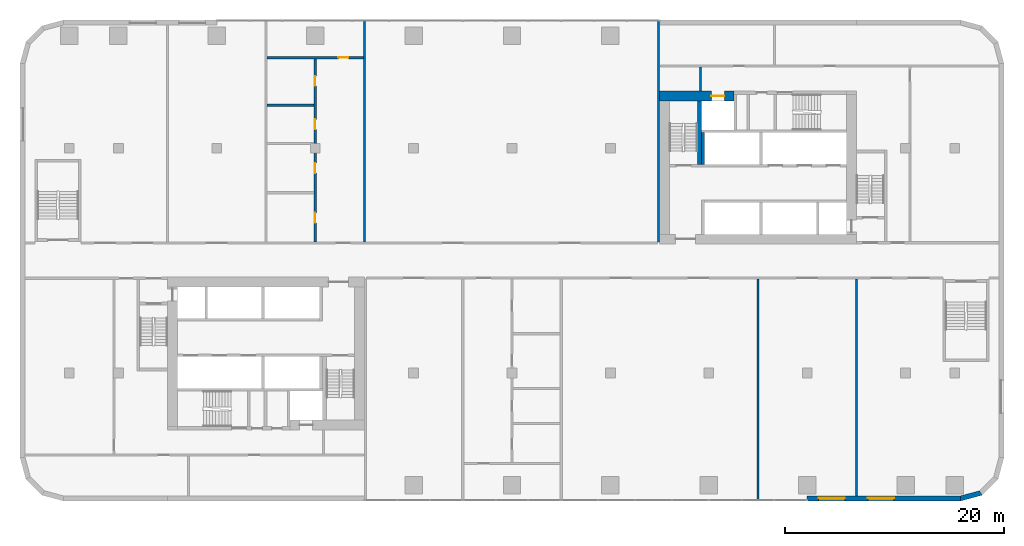
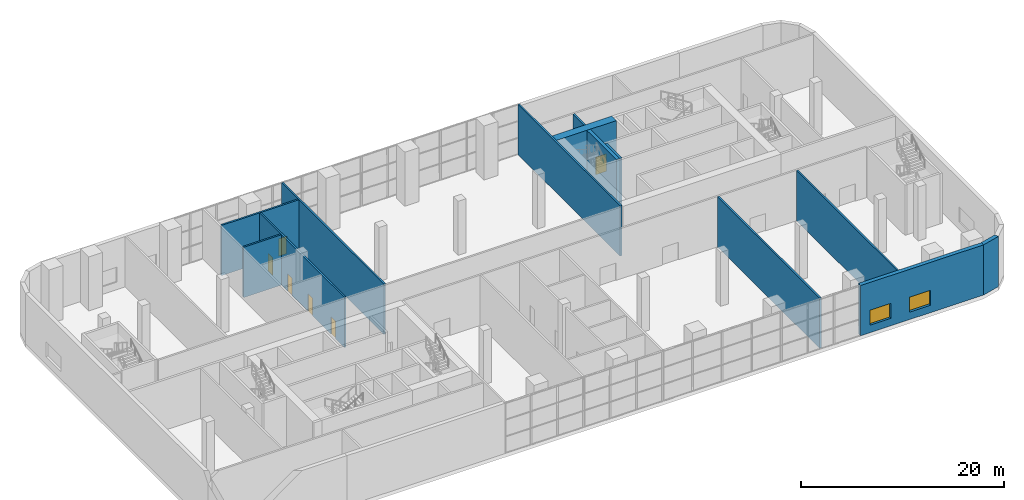
# One storey, part 11 of 24: 13 walls, 6 doors, 2 windows, 8 openings.
"""IFC4 building model written with IfcOpenShell, lengths in metres."""

from ifc_helpers import new_model, si_unit, direction, frame, frame_2d, origin, place, context, subcontext, project, spatial, polyline, rectangle, outline, extrude, material, layer, layer_set, type_object, element, fill, save


model = new_model("IFC4")

# Units and contexts
model_context = context("Model", 3, precision=1e-05, world=origin(), true_north=direction((0.0, 1.0)))
body_context = subcontext(model_context, "Body", "Model", "MODEL_VIEW")
ifc_project = project(units=[si_unit("LENGTHUNIT", "METRE"), si_unit("AREAUNIT", "SQUARE_METRE"), si_unit("VOLUMEUNIT", "CUBIC_METRE"), si_unit("PLANEANGLEUNIT", "RADIAN"), si_unit("MASSUNIT", "GRAM", prefix="KILO")], contexts=[model_context])

# Site, building, storey
site_placement = place(None, origin())
site = spatial("IfcSite", under=ifc_project, at=site_placement, CompositionType="ELEMENT")
building_placement = place(site_placement, origin())
building = spatial("IfcBuilding", under=site, at=building_placement, Name="Kajstack Hotel Tower", CompositionType="ELEMENT")
storey_placement = place(building_placement, frame((0.0, 0.0, 17.0)))
storey = spatial("IfcBuildingStorey", under=building, at=storey_placement, Name="L02", CompositionType="ELEMENT", Elevation=17.0)

# Wall, opening, door
ifc_material_1 = material(Name="Concrete C60/75", Category="concrete")
ifc_layer_1 = layer(ifc_material_1, 0.89990234375)
ifc_layer_set_1 = layer_set([ifc_layer_1], Name="Core wall 900")
wall_type_1 = type_object("IfcWallType", Name="Core wall 900", PredefinedType="SHEAR", material=ifc_layer_set_1)
wall_1_placement = place(storey_placement, frame((13.5, 15.050048828125, 0.0), z_axis=(0.0, 0.0, 1.0), x_axis=(1.0, 0.0, 0.0)))
wall_1 = element("IfcWall", 1, at=wall_1_placement, inside=storey, type_object=wall_type_1, Name="Core wall E RS", PredefinedType="SHEAR", context=body_context, shape_type="SweptSolid", body=[
    extrude(rectangle(XDim=6.800048828125, YDim=0.89990234375, at=frame_2d((3.39990234375, 0.0))), origin(), (0.0, 0.0, 1.0), 6.050048828125),
])
opening_1_placement = place(wall_1_placement, frame((4.72509765625, 0.0, 0.0)))
opening_1 = element("IfcOpeningElement", 2, at=opening_1_placement, cuts=wall_1, Name="Opening LD-SV2", PredefinedType="OPENING", context=body_context, shape_type="SweptSolid", body=[
    extrude(rectangle(XDim=1.199951171875, YDim=2.10009765625, at=frame_2d((0.60009765625, 1.050048828125))), frame((0.0, 0.4599609375, 0.0), z_axis=(0.0, -1.0, 0.0), x_axis=(1.0, 0.0, 0.0)), (0.0, 0.0, 1.0), 0.919921875),
])
ifc_material_2 = material(Name="Stainless steel", Category="steel")
door_type_1 = type_object("IfcDoorType", Name="Lift landing door 1200", OperationType="SLIDING_TO_LEFT", PredefinedType="DOOR", material=ifc_material_2)
door_1_placement = place(opening_1_placement, origin())
door_1 = element("IfcDoor", 3, at=door_1_placement, inside=storey, type_object=door_type_1, Name="Landing door SV2", OperationType="SLIDING_TO_LEFT", OverallHeight=2.10009765625, OverallWidth=1.199951171875, PredefinedType="DOOR", context=body_context, shape_type="SweptSolid", body=[
    extrude(rectangle(XDim=1.199951171875, YDim=2.10009765625, at=frame_2d((0.60009765625, 1.050048828125))), frame((0.0, 0.02490234375, 0.0), z_axis=(0.0, -1.0, 0.0), x_axis=(1.0, 0.0, 0.0)), (0.0, 0.0, 1.0), 0.050048828125),
])
fill(opening_1, door_1)

# Wall, openings, windows
ifc_material_3 = material(Name="Terracotta-faced brick masonry", Category="masonry")
ifc_layer_2 = layer(ifc_material_3, 0.449951171875)
ifc_layer_set_2 = layer_set([ifc_layer_2], Name="EW-TERRA")
wall_type_2 = type_object("IfcWallType", Name="EW-TERRA", PredefinedType="SOLIDWALL", material=ifc_layer_set_2)
wall_2_placement = place(storey_placement, frame((27.0, -21.77490234375, 0.0), z_axis=(0.0, 0.0, 1.0), x_axis=(1.0, 0.0, 0.0)))
wall_2 = element("IfcWall", 4, at=wall_2_placement, inside=storey, type_object=wall_type_2, Name="E-wall-L02-03-03", PredefinedType="SOLIDWALL", context=body_context, shape_type="SweptSolid", body=[
    extrude(rectangle(XDim=14.0, YDim=0.449951171875, at=frame_2d((7.0, 0.0))), origin(), (0.0, 0.0, 1.0), 6.050048828125),
])
opening_2_placement = place(wall_2_placement, frame((1.050048828125, 0.0, 0.89990234375)))
opening_2 = element("IfcOpeningElement", 5, at=opening_2_placement, cuts=wall_2, Name="Opening W4", PredefinedType="OPENING", context=body_context, shape_type="SweptSolid", body=[
    extrude(rectangle(XDim=2.39990234375, YDim=1.800048828125, at=frame_2d((1.199951171875, 0.89990234375))), frame((0.0, 0.23486328125, 0.0), z_axis=(0.0, -1.0, 0.0), x_axis=(1.0, 0.0, 0.0)), (0.0, 0.0, 1.0), 0.469970703125),
])
opening_3_placement = place(wall_2_placement, frame((5.550048828125, 0.0, 0.89990234375)))
opening_3 = element("IfcOpeningElement", 6, at=opening_3_placement, cuts=wall_2, Name="Opening W4", PredefinedType="OPENING", context=body_context, shape_type="SweptSolid", body=[
    extrude(rectangle(XDim=2.39990234375, YDim=1.800048828125, at=frame_2d((1.199951171875, 0.89990234375))), frame((0.0, 0.23486328125, 0.0), z_axis=(0.0, -1.0, 0.0), x_axis=(1.0, 0.0, 0.0)), (0.0, 0.0, 1.0), 0.469970703125),
])
ifc_material_4 = material(Name="Timber-aluminium window, triple glazed", Category="wood")
window_type = type_object("IfcWindowType", Name="WP1", PartitioningType="SINGLE_PANEL", PredefinedType="WINDOW", material=ifc_material_4)
window_1_placement = place(opening_2_placement, origin())
window_1 = element("IfcWindow", 7, at=window_1_placement, inside=storey, type_object=window_type, Name="Window W4 L02-03", OverallHeight=1.800048828125, OverallWidth=2.39990234375, PartitioningType="SINGLE_PANEL", PredefinedType="WINDOW", context=body_context, shape_type="SweptSolid", body=[
    extrude(rectangle(XDim=2.39990234375, YDim=1.800048828125, at=frame_2d((1.199951171875, 0.89990234375))), frame((0.0, 0.090087890625, 0.0), z_axis=(0.0, -1.0, 0.0), x_axis=(1.0, 0.0, 0.0)), (0.0, 0.0, 1.0), 0.06005859375),
])
fill(opening_2, window_1)
window_2_placement = place(opening_3_placement, origin())
window_2 = element("IfcWindow", 8, at=window_2_placement, inside=storey, type_object=window_type, Name="Window W4 L02-03", OverallHeight=1.800048828125, OverallWidth=2.39990234375, PartitioningType="SINGLE_PANEL", PredefinedType="WINDOW", context=body_context, shape_type="SweptSolid", body=[
    extrude(rectangle(XDim=2.39990234375, YDim=1.800048828125, at=frame_2d((1.199951171875, 0.89990234375))), frame((0.0, 0.090087890625, 0.0), z_axis=(0.0, -1.0, 0.0), x_axis=(1.0, 0.0, 0.0)), (0.0, 0.0, 1.0), 0.06005859375),
])
fill(opening_3, window_2)

# Walls
wall_3_placement = place(storey_placement, frame((40.941650390625, -21.78271484375, 0.0), z_axis=(0.0, 0.0, 1.0), x_axis=(0.965926999034, 0.25881466832, 0.0)))
element("IfcWall", 9, at=wall_3_placement, inside=storey, type_object=wall_type_2, Name="E-wall-L02-04-00", PredefinedType="SOLIDWALL", context=body_context, shape_type="SweptSolid", body=[
    extrude(outline(polyline([(0.000244140625, -0.22509765625), (2.070556640625, -0.224853515625), (1.9501953125, 0.22509765625), (0.12060546875, 0.22509765625), (0.000244140625, -0.22509765625)])), origin(), (0.0, 0.0, 1.0), 6.050048828125),
])
ifc_material_5 = material(Name="Gypsum board on steel studs, mineral wool", Category="steel")
ifc_layer_3 = layer(ifc_material_5, 0.199951171875)
ifc_layer_set_3 = layer_set([ifc_layer_3], Name="Public partition 200")
wall_type_3 = type_object("IfcWallType", Name="Public partition 200", PredefinedType="PARTITIONING", material=ifc_layer_set_3)
wall_4_placement = place(storey_placement, frame((-13.5, 1.699951171875, 0.0), z_axis=(0.0, 0.0, 1.0), x_axis=(0.0, 1.0, 0.0)))
element("IfcWall", 10, at=wall_4_placement, inside=storey, type_object=wall_type_3, Name="Partition PX0", PredefinedType="PARTITIONING", context=body_context, shape_type="SweptSolid", body=[
    extrude(rectangle(XDim=20.150146484375, YDim=0.199951171875, at=frame_2d((10.0751953125, 0.0))), origin(), (0.0, 0.0, 1.0), 6.050048828125),
])

# Wall, openings, doors
wall_5_placement = place(storey_placement, frame((-18.0, 1.699951171875, 0.0), z_axis=(0.0, 0.0, 1.0), x_axis=(0.0, 1.0, 0.0)))
wall_5 = element("IfcWall", 11, at=wall_5_placement, inside=storey, type_object=wall_type_3, Name="Partition C1CW", PredefinedType="PARTITIONING", context=body_context, shape_type="SweptSolid", body=[
    extrude(rectangle(XDim=16.75, YDim=0.199951171875, at=frame_2d((8.375, 0.0))), origin(), (0.0, 0.0, 1.0), 6.050048828125),
])
opening_4_placement = place(wall_5_placement, frame((1.75, 0.0, 0.0)))
opening_4 = element("IfcOpeningElement", 12, at=opening_4_placement, cuts=wall_5, Name="Opening 02P04", PredefinedType="OPENING", context=body_context, shape_type="SweptSolid", body=[
    extrude(rectangle(XDim=0.89990234375, YDim=2.10009765625, at=frame_2d((0.449951171875, 1.050048828125))), frame((0.0, 0.10986328125, 0.0), z_axis=(0.0, -1.0, 0.0), x_axis=(1.0, 0.0, 0.0)), (0.0, 0.0, 1.0), 0.219970703125),
])
opening_5_placement = place(wall_5_placement, frame((6.300048828125, 0.0, 0.0)))
opening_5 = element("IfcOpeningElement", 13, at=opening_5_placement, cuts=wall_5, Name="Opening 02P05", PredefinedType="OPENING", context=body_context, shape_type="SweptSolid", body=[
    extrude(rectangle(XDim=0.89990234375, YDim=2.10009765625, at=frame_2d((0.449951171875, 1.050048828125))), frame((0.0, 0.10986328125, 0.0), z_axis=(0.0, -1.0, 0.0), x_axis=(1.0, 0.0, 0.0)), (0.0, 0.0, 1.0), 0.219970703125),
])
opening_6_placement = place(wall_5_placement, frame((10.300048828125, 0.0, 0.0)))
opening_6 = element("IfcOpeningElement", 14, at=opening_6_placement, cuts=wall_5, Name="Opening 02P06", PredefinedType="OPENING", context=body_context, shape_type="SweptSolid", body=[
    extrude(rectangle(XDim=0.89990234375, YDim=2.10009765625, at=frame_2d((0.449951171875, 1.050048828125))), frame((0.0, 0.10986328125, 0.0), z_axis=(0.0, -1.0, 0.0), x_axis=(1.0, 0.0, 0.0)), (0.0, 0.0, 1.0), 0.219970703125),
])
opening_7_placement = place(wall_5_placement, frame((14.27490234375, 0.0, 0.0)))
opening_7 = element("IfcOpeningElement", 15, at=opening_7_placement, cuts=wall_5, Name="Opening 02P07", PredefinedType="OPENING", context=body_context, shape_type="SweptSolid", body=[
    extrude(rectangle(XDim=0.89990234375, YDim=2.10009765625, at=frame_2d((0.449951171875, 1.050048828125))), frame((0.0, 0.10986328125, 0.0), z_axis=(0.0, -1.0, 0.0), x_axis=(1.0, 0.0, 0.0)), (0.0, 0.0, 1.0), 0.219970703125),
])
ifc_material_6 = material(Name="Timber leaf", Category="wood")
door_type_2 = type_object("IfcDoorType", Name="Public room door 900", OperationType="SINGLE_SWING_LEFT", PredefinedType="DOOR", material=ifc_material_6)
door_2_placement = place(opening_4_placement, origin())
door_2 = element("IfcDoor", 16, at=door_2_placement, inside=storey, type_object=door_type_2, Name="Door 02P04", OperationType="SINGLE_SWING_LEFT", OverallHeight=2.10009765625, OverallWidth=0.89990234375, PredefinedType="DOOR", context=body_context, shape_type="SweptSolid", body=[
    extrude(rectangle(XDim=0.89990234375, YDim=2.10009765625, at=frame_2d((0.449951171875, 1.050048828125))), frame((0.0, 0.02490234375, 0.0), z_axis=(0.0, -1.0, 0.0), x_axis=(1.0, 0.0, 0.0)), (0.0, 0.0, 1.0), 0.050048828125),
])
fill(opening_4, door_2)
door_3_placement = place(opening_5_placement, origin())
door_3 = element("IfcDoor", 17, at=door_3_placement, inside=storey, type_object=door_type_2, Name="Door 02P05", OperationType="SINGLE_SWING_LEFT", OverallHeight=2.10009765625, OverallWidth=0.89990234375, PredefinedType="DOOR", context=body_context, shape_type="SweptSolid", body=[
    extrude(rectangle(XDim=0.89990234375, YDim=2.10009765625, at=frame_2d((0.449951171875, 1.050048828125))), frame((0.0, 0.02490234375, 0.0), z_axis=(0.0, -1.0, 0.0), x_axis=(1.0, 0.0, 0.0)), (0.0, 0.0, 1.0), 0.050048828125),
])
fill(opening_5, door_3)
door_4_placement = place(opening_6_placement, origin())
door_4 = element("IfcDoor", 18, at=door_4_placement, inside=storey, type_object=door_type_2, Name="Door 02P06", OperationType="SINGLE_SWING_LEFT", OverallHeight=2.10009765625, OverallWidth=0.89990234375, PredefinedType="DOOR", context=body_context, shape_type="SweptSolid", body=[
    extrude(rectangle(XDim=0.89990234375, YDim=2.10009765625, at=frame_2d((0.449951171875, 1.050048828125))), frame((0.0, 0.02490234375, 0.0), z_axis=(0.0, -1.0, 0.0), x_axis=(1.0, 0.0, 0.0)), (0.0, 0.0, 1.0), 0.050048828125),
])
fill(opening_6, door_4)
door_5_placement = place(opening_7_placement, origin())
door_5 = element("IfcDoor", 19, at=door_5_placement, inside=storey, type_object=door_type_2, Name="Door 02P07", OperationType="SINGLE_SWING_LEFT", OverallHeight=2.10009765625, OverallWidth=0.89990234375, PredefinedType="DOOR", context=body_context, shape_type="SweptSolid", body=[
    extrude(rectangle(XDim=0.89990234375, YDim=2.10009765625, at=frame_2d((0.449951171875, 1.050048828125))), frame((0.0, 0.02490234375, 0.0), z_axis=(0.0, -1.0, 0.0), x_axis=(1.0, 0.0, 0.0)), (0.0, 0.0, 1.0), 0.050048828125),
])
fill(opening_7, door_5)

# Wall
wall_6_placement = place(storey_placement, frame((-22.39990234375, 14.199951171875, 0.0), z_axis=(0.0, 0.0, 1.0), x_axis=(1.0, 0.0, 0.0)))
element("IfcWall", 20, at=wall_6_placement, inside=storey, type_object=wall_type_3, Name="Partition C1wP2", PredefinedType="PARTITIONING", context=body_context, shape_type="SweptSolid", body=[
    extrude(rectangle(XDim=4.2998046875, YDim=0.199951171875, at=frame_2d((2.14990234375, 0.0))), origin(), (0.0, 0.0, 1.0), 6.050048828125),
])

# Wall, opening, door
wall_7_placement = place(storey_placement, frame((-22.39990234375, 18.550048828125, 0.0), z_axis=(0.0, 0.0, 1.0), x_axis=(1.0, 0.0, 0.0)))
wall_7 = element("IfcWall", 21, at=wall_7_placement, inside=storey, type_object=wall_type_3, Name="Partition C1BW", PredefinedType="PARTITIONING", context=body_context, shape_type="SweptSolid", body=[
    extrude(rectangle(XDim=8.7998046875, YDim=0.199951171875, at=frame_2d((4.39990234375, 0.0))), origin(), (0.0, 0.0, 1.0), 6.050048828125),
])
opening_8_placement = place(wall_7_placement, frame((6.52490234375, 0.0, 0.0)))
opening_8 = element("IfcOpeningElement", 22, at=opening_8_placement, cuts=wall_7, Name="Opening 02P08", PredefinedType="OPENING", context=body_context, shape_type="SweptSolid", body=[
    extrude(rectangle(XDim=0.89990234375, YDim=2.10009765625, at=frame_2d((0.449951171875, 1.050048828125))), frame((0.0, 0.10986328125, 0.0), z_axis=(0.0, -1.0, 0.0), x_axis=(1.0, 0.0, 0.0)), (0.0, 0.0, 1.0), 0.219970703125),
])
door_6_placement = place(opening_8_placement, origin())
door_6 = element("IfcDoor", 23, at=door_6_placement, inside=storey, type_object=door_type_2, Name="Door 02P08", OperationType="SINGLE_SWING_LEFT", OverallHeight=2.10009765625, OverallWidth=0.89990234375, PredefinedType="DOOR", context=body_context, shape_type="SweptSolid", body=[
    extrude(rectangle(XDim=0.89990234375, YDim=2.10009765625, at=frame_2d((0.449951171875, 1.050048828125))), frame((0.0, 0.02490234375, 0.0), z_axis=(0.0, -1.0, 0.0), x_axis=(1.0, 0.0, 0.0)), (0.0, 0.0, 1.0), 0.050048828125),
])
fill(opening_8, door_6)

# Walls
for number, where, z_axis, x_axis, name in (
    (24, (13.39990234375, 1.699951171875, 0.0), (0.0, 0.0, 1.0), (0.0, 1.0, 0.0), "Partition EW"),
    (25, (22.5, -21.85009765625, 0.0), (0.0, 0.0, 1.0), (0.0, 1.0, 0.0), "Partition SPX2"),
):
    element("IfcWall", number, at=place(storey_placement, frame(where, z_axis=z_axis, x_axis=x_axis)), inside=storey, type_object=wall_type_3, Name=name, PredefinedType="PARTITIONING", context=body_context, shape_type="SweptSolid", body=[
        extrude(rectangle(XDim=20.150146484375, YDim=0.199951171875, at=frame_2d((10.0751953125, 0.0))), origin(), (0.0, 0.0, 1.0), 6.050048828125),
    ])
wall_8_placement = place(storey_placement, frame((31.5, -21.550048828125, 0.0), z_axis=(0.0, 0.0, 1.0), x_axis=(0.0, 1.0, 0.0)))
element("IfcWall", 26, at=wall_8_placement, inside=storey, type_object=wall_type_3, Name="Partition SPX3", PredefinedType="PARTITIONING", context=body_context, shape_type="SweptSolid", body=[
    extrude(rectangle(XDim=19.85009765625, YDim=0.199951171875, at=frame_2d((9.925048828125, 0.0))), origin(), (0.0, 0.0, 1.0), 6.050048828125),
])
ifc_layer_4 = layer(ifc_material_5, 0.199951171875)
ifc_layer_set_4 = layer_set([ifc_layer_4], Name="Service partition 200")
wall_type_4 = type_object("IfcWallType", Name="Service partition 200", PredefinedType="PARTITIONING", material=ifc_layer_set_4)
wall_9_placement = place(storey_placement, frame((17.25, 15.5, 0.0), z_axis=(0.0, 0.0, 1.0), x_axis=(0.0, 1.0, 0.0)))
element("IfcWall", 27, at=wall_9_placement, inside=storey, type_object=wall_type_4, Name="Partition E SCE", PredefinedType="PARTITIONING", context=body_context, shape_type="SweptSolid", body=[
    extrude(rectangle(XDim=2.199951171875, YDim=0.199951171875, at=frame_2d((1.10009765625, 0.0))), origin(), (0.0, 0.0, 1.0), 6.050048828125),
])
ifc_material_7 = material(Name="Concrete C50/60", Category="concrete")
ifc_layer_5 = layer(ifc_material_7, 0.25)
ifc_layer_set_5 = layer_set([ifc_layer_5], Name="Shaft wall 250")
wall_type_5 = type_object("IfcWallType", Name="Shaft wall 250", PredefinedType="SHEAR", material=ifc_layer_set_5)
wall_10_placement = place(storey_placement, frame((17.47509765625, 8.800048828125, 0.0), z_axis=(0.0, 0.0, 1.0), x_axis=(0.0, 1.0, 0.0)))
element("IfcWall", 28, at=wall_10_placement, inside=storey, type_object=wall_type_5, Name="Core wall E BE", PredefinedType="SHEAR", context=body_context, shape_type="SweptSolid", body=[
    extrude(rectangle(XDim=2.89990234375, YDim=0.25, at=frame_2d((1.449951171875, 0.0))), origin(), (0.0, 0.0, 1.0), 6.050048828125),
])
ifc_layer_6 = layer(ifc_material_7, 0.39990234375)
ifc_layer_set_6 = layer_set([ifc_layer_6], Name="Stair wall 400")
wall_type_6 = type_object("IfcWallType", Name="Stair wall 400", PredefinedType="SHEAR", material=ifc_layer_set_6)
wall_11_placement = place(storey_placement, frame((17.14990234375, 8.800048828125, 0.0), z_axis=(0.0, 0.0, 1.0), x_axis=(0.0, 1.0, 0.0)))
element("IfcWall", 29, at=wall_11_placement, inside=storey, type_object=wall_type_6, Name="Core wall E WW2", PredefinedType="SHEAR", context=body_context, shape_type="SweptSolid", body=[
    extrude(rectangle(XDim=5.800048828125, YDim=0.39990234375, at=frame_2d((2.89990234375, 0.0))), origin(), (0.0, 0.0, 1.0), 6.050048828125),
])

save(model, "model.ifc")
